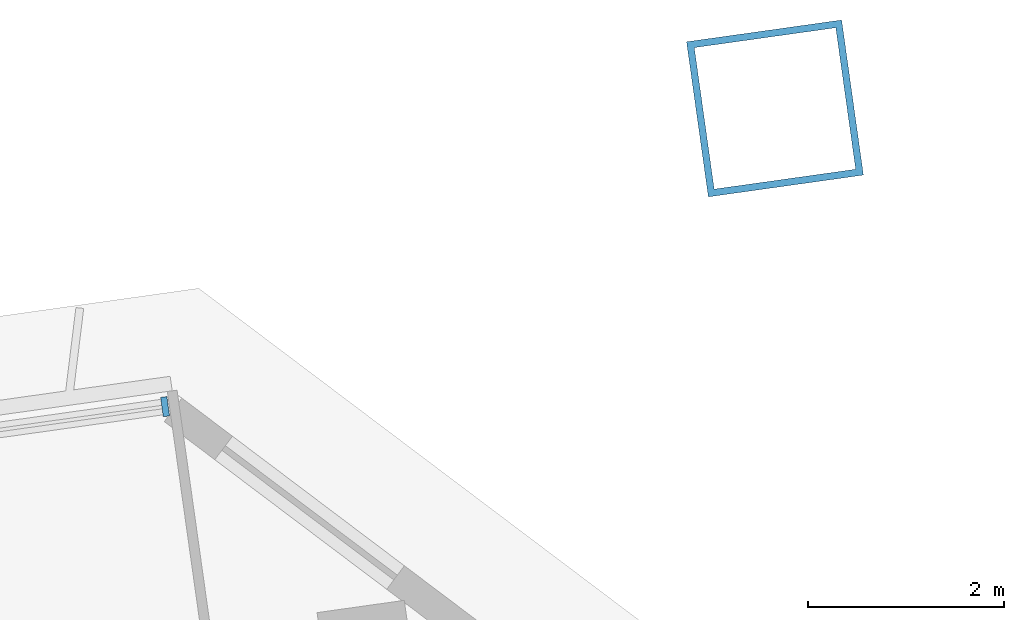
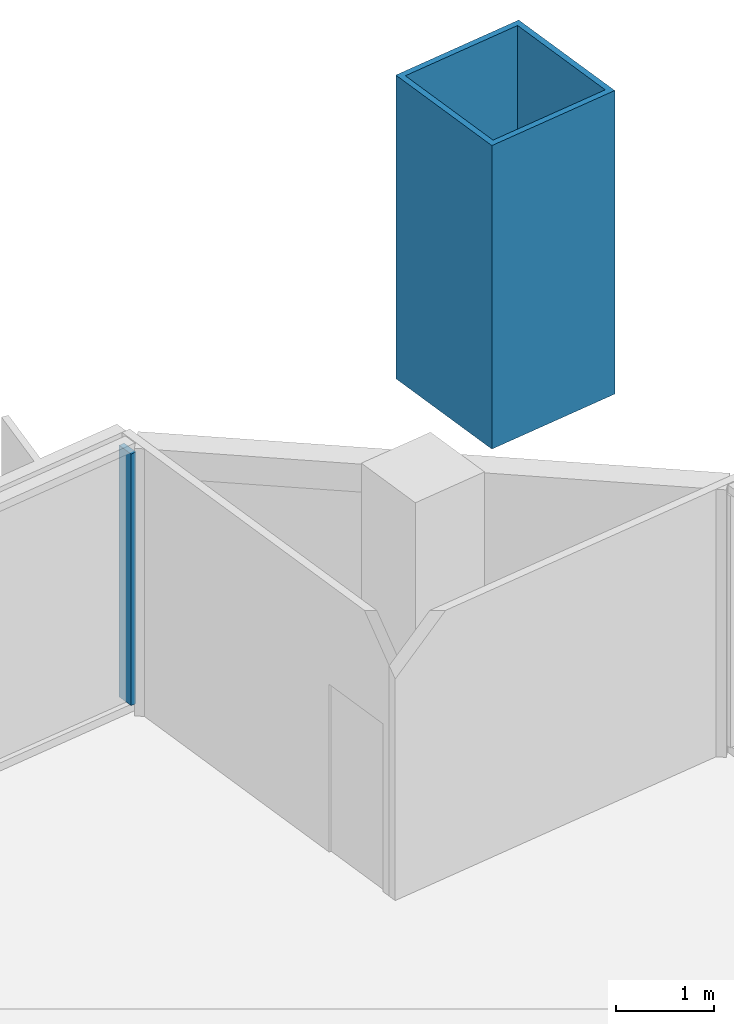
# One storey, part 12 of 26: 2 members, 1 element without a shape of its own.
"""IFC4 building model written with IfcOpenShell, lengths in metres."""

import ifcopenshell
import ifcopenshell.guid

model = None  # the IFC model being written
_history = None  # IfcOwnerHistory: only IFC2X3 demands one
_inside = {}  # id of a spatial element -> (the spatial element, [elements in it])
_under = {}  # id of a project, library or spatial element -> (it, [spatial elements below it])
_declared = {}  # id of a project -> (the project, [libraries it declares])
_typed = {}  # id of a type object -> (the type object, [elements of that type])
_made_of = {}  # id of a material, layer set ... -> (it, [elements and type objects made of it])


def new_model(schema):
    """Start an empty IFC model of exactly this schema.

    Asked for "IFC4X3", IfcOpenShell would pick the latest addendum, in which some entities
    have other attributes; the version numbers below select the first issue.
    IFC2X3 requires an IfcOwnerHistory on every rooted entity: one is made here for all.
    """
    global model, _history
    if schema == "IFC4X3":
        model = ifcopenshell.file(schema_version=(4, 3, 0, 0))
    else:
        model = ifcopenshell.file(schema=schema)
    _inside.clear()
    _under.clear()
    _declared.clear()
    _typed.clear()
    _made_of.clear()
    _history = None
    if model.schema == "IFC2X3":
        org = make("IfcOrganization", Name="unknown")
        user = make(
            "IfcPersonAndOrganization",
            ThePerson=make("IfcPerson", FamilyName="unknown"),
            TheOrganization=org,
        )
        app = make(
            "IfcApplication",
            ApplicationDeveloper=org,
            Version="unknown",
            ApplicationFullName="unknown",
            ApplicationIdentifier="unknown",
        )
        _history = make(
            "IfcOwnerHistory",
            OwningUser=user,
            OwningApplication=app,
            ChangeAction="ADDED",
            CreationDate=0,
        )
    return model


def make(cls, **values):
    """One entity of the class cls with the attributes given. An attribute that is None is left unset."""
    return model.create_entity(
        cls, **{name: value for name, value in values.items() if value is not None}
    )


def rooted(cls, **values):
    """An entity with a GlobalId (a new one), such as an element, a storey or a relation."""
    return make(cls, GlobalId=ifcopenshell.guid.new(), OwnerHistory=_history, **values)


def si_unit(unit_type, name, prefix=None):
    """IfcSIUnit, for example si_unit("LENGTHUNIT", "METRE", prefix="MILLI")."""
    return make("IfcSIUnit", UnitType=unit_type, Prefix=prefix, Name=name)


def assignment(units):
    """IfcUnitAssignment: the units of a project."""
    return None if units is None else make("IfcUnitAssignment", Units=units)


def point(xyz):
    """IfcCartesianPoint."""
    return None if xyz is None else make("IfcCartesianPoint", Coordinates=xyz)


def direction(xyz):
    """IfcDirection."""
    return None if xyz is None else make("IfcDirection", DirectionRatios=xyz)


def frame(location, z_axis=None, x_axis=None):
    """IfcAxis2Placement3D, a coordinate frame: its origin and axes. An axis left out is left unset."""
    return make(
        "IfcAxis2Placement3D",
        Location=point(location),
        Axis=direction(z_axis),
        RefDirection=direction(x_axis),
    )


def frame_2d(location, x_axis=None):
    """IfcAxis2Placement2D, a coordinate frame in the plane: its origin and x axis."""
    return make(
        "IfcAxis2Placement2D", Location=point(location), RefDirection=direction(x_axis)
    )


def origin():
    """The frame at (0, 0, 0) with its axes left unset."""
    return frame((0.0, 0.0, 0.0))


def origin_2d():
    """The frame at (0, 0) in the plane with its x axis left unset."""
    return frame_2d((0.0, 0.0))


def place(relative_to, where):
    """IfcLocalPlacement: puts the frame where relative to a parent placement (None: the world)."""
    return make(
        "IfcLocalPlacement", PlacementRelTo=relative_to, RelativePlacement=where
    )


def context(
    kind, dimensions, precision=None, world=None, true_north=None, identifier=None
):
    """IfcGeometricRepresentationContext, for example the 3D "Model" context."""
    return make(
        "IfcGeometricRepresentationContext",
        ContextIdentifier=identifier,
        ContextType=kind,
        CoordinateSpaceDimension=dimensions,
        Precision=precision,
        WorldCoordinateSystem=world,
        TrueNorth=true_north,
    )


def subcontext(parent, identifier, kind, view, scale=None):
    """IfcGeometricRepresentationSubContext, for example "Body" below "Model"."""
    return make(
        "IfcGeometricRepresentationSubContext",
        ContextIdentifier=identifier,
        ContextType=kind,
        ParentContext=parent,
        TargetScale=scale,
        TargetView=view,
    )


def project(units=None, contexts=None):
    """IfcProject with its units and contexts."""
    return rooted(
        "IfcProject",
        Name="project",
        RepresentationContexts=contexts,
        UnitsInContext=assignment(units),
    )


def spatial(cls, under=None, at=None, **own):
    """A site, building, storey or space (cls), placed at a placement, below another one or the project."""
    s = rooted(cls, ObjectPlacement=at, **own)
    if under is not None:
        _under.setdefault(under.id(), (under, []))[1].append(s)
    return s


def profile(cls, at=None, kind="AREA", **sizes):
    """A parametric profile (cls). Its sizes go by their IFC names, for example OverallWidth=200.0."""
    return make(cls, ProfileType=kind, Position=at, **sizes)


def rectangle(**sizes):
    """IfcRectangleProfileDef."""
    return profile("IfcRectangleProfileDef", **sizes)


def hollow_rectangle(**sizes):
    """IfcRectangleHollowProfileDef."""
    return profile("IfcRectangleHollowProfileDef", **sizes)


def extrude(swept, where, along, depth):
    """IfcExtrudedAreaSolid: the profile swept, set in the frame where, extruded along a direction by depth."""
    return make(
        "IfcExtrudedAreaSolid",
        SweptArea=swept,
        Position=where,
        ExtrudedDirection=direction(along),
        Depth=depth,
    )


def shape(context_of_items, identifier, shape_type, items):
    """IfcShapeRepresentation: the items that make up one representation, for example the "Body"."""
    return make(
        "IfcShapeRepresentation",
        ContextOfItems=context_of_items,
        RepresentationIdentifier=identifier,
        RepresentationType=shape_type,
        Items=items,
    )


def material(Name=None, Category=None):
    """IfcMaterial."""
    return make("IfcMaterial", Name=Name, Category=Category)


def material_profile(
    of_material, cross_section, Name=None, Category=None, Priority=None
):
    """IfcMaterialProfile: a cross section and its material."""
    return make(
        "IfcMaterialProfile",
        Name=Name,
        Material=of_material,
        Profile=cross_section,
        Priority=Priority,
        Category=Category,
    )


def profile_set(profiles, Name=None, composite=None):
    """IfcMaterialProfileSet."""
    return make(
        "IfcMaterialProfileSet",
        Name=Name,
        MaterialProfiles=profiles,
        CompositeProfile=composite,
    )


def made_of(thing, what):
    """Note that an element or type object is made of a material, layer set ...; save() writes the relation."""
    if what is not None:
        _made_of.setdefault(what.id(), (what, []))[1].append(thing)
    return thing


def type_object(cls, material=None, **own):
    """A type object (cls), such as IfcWallType, which elements share."""
    return made_of(rooted(cls, **own), material)


def element(
    cls,
    number,
    at=None,
    inside=None,
    cuts=None,
    type_object=None,
    material=None,
    context=None,
    identifier="Body",
    shape_type=None,
    held_by="IfcProductDefinitionShape",
    body=None,
    shapes=None,
    **own,
):
    """One element of the class cls, such as IfcWall. Its Tag is "e" and its number.

    at: its placement. inside: the storey or other place that contains it. cuts: it is an
    opening in that element (IfcRelVoidsElement). A single representation is given by context,
    identifier, shape_type and body (its items); several are given by shapes. held_by: the class
    of the entity that holds the representations. save() writes the other relations.
    """
    e = rooted(cls, Tag="e%d" % number, ObjectPlacement=at, **own)
    if body is not None:
        shapes = [shape(context, identifier, shape_type, body)]
    if shapes is not None:
        e.Representation = make(held_by, Representations=shapes)
    if inside is not None:
        _inside.setdefault(inside.id(), (inside, []))[1].append(e)
    if cuts is not None:
        rooted(
            "IfcRelVoidsElement", RelatingBuildingElement=cuts, RelatedOpeningElement=e
        )
    if type_object is not None:
        _typed.setdefault(type_object.id(), (type_object, []))[1].append(e)
    return made_of(e, material)


def aggregate(whole, parts):
    """IfcRelAggregates: a whole, such as a stair, and the parts it consists of."""
    return rooted("IfcRelAggregates", RelatingObject=whole, RelatedObjects=parts)


def save(model, path):
    """Write the relations noted so far, then the file.

    IfcRelAggregates (storeys below a building ...), IfcRelContainedInSpatialStructure (elements
    in a storey), IfcRelDefinesByType, IfcRelAssociatesMaterial and IfcRelDeclares: one each for
    every whole, place, type object, material and project.
    """
    for whole, parts in _under.values():
        aggregate(whole, parts)
    for where, things in _inside.values():
        rooted(
            "IfcRelContainedInSpatialStructure",
            RelatedElements=things,
            RelatingStructure=where,
        )
    for kind, things in _typed.values():
        rooted("IfcRelDefinesByType", RelatedObjects=things, RelatingType=kind)
    for what, things in _made_of.values():
        rooted("IfcRelAssociatesMaterial", RelatedObjects=things, RelatingMaterial=what)
    for by, libraries in _declared.values():
        rooted("IfcRelDeclares", RelatingContext=by, RelatedDefinitions=libraries)
    model.write(path)


model = new_model("IFC4")

# Units and contexts
model_context = context("Model", 3, precision=1e-05, world=origin(), true_north=direction((0.0, 1.0)))
body_context = subcontext(model_context, "Body", "Model", "MODEL_VIEW")
ifc_project = project(units=[si_unit("LENGTHUNIT", "METRE"), si_unit("AREAUNIT", "SQUARE_METRE"), si_unit("VOLUMEUNIT", "CUBIC_METRE"), si_unit("PLANEANGLEUNIT", "RADIAN"), si_unit("MASSUNIT", "GRAM", prefix="KILO")], contexts=[model_context])

# Site, building, storey
site_placement = place(None, origin())
site = spatial("IfcSite", under=ifc_project, at=site_placement, CompositionType="ELEMENT")
building_placement = place(site_placement, origin())
building = spatial("IfcBuilding", under=site, at=building_placement, Name="Mirante Cascada Hotel Towers", CompositionType="ELEMENT")
storey_placement = place(building_placement, frame((0.0, 0.0, 144.3)))
storey = spatial("IfcBuildingStorey", under=building, at=storey_placement, Name="L33", CompositionType="ELEMENT", Elevation=144.3)

# Member
ifc_material_1 = material(Name="Steel ASTM A572 Gr 50", Category="steel")
ifc_material_profile_1 = material_profile(ifc_material_1, hollow_rectangle(XDim=1.6, YDim=1.6, WallThickness=0.07, at=origin_2d()), Name="Box post 1600x1600x70 ASTM A572 Gr 50")
ifc_profile_set_1 = profile_set([ifc_material_profile_1], Name="Steel ASTM A572 Gr 50")
member_type_1 = type_object("IfcMemberType", Name="Box post 1600x1600x70 ASTM A572 Gr 50", PredefinedType="POST", material=ifc_profile_set_1)
member_1_placement = place(storey_placement, frame((100.3572, 29.0944, 0.0), z_axis=(0.0, 0.0, 1.0), x_axis=(0.9902681, 0.1391731, 0.0)))
element("IfcMember", 1, at=member_1_placement, inside=storey, type_object=member_type_1, Name="Mega column MP3 T2 L33", PredefinedType="POST", context=body_context, shape_type="SweptSolid", body=[
    extrude(hollow_rectangle(XDim=1.6, YDim=1.6, WallThickness=0.07, at=origin_2d()), origin(), (0.0, 0.0, 1.0), 3.8),
])

# Curtain wall, member
ifc_material_2 = material(Name="Aluminium mullion and transom frame with clear laminated glass", Category="aluminium")
curtain_wall_type = type_object("IfcCurtainWallType", Name="Ribbon curtain wall ECW1", PredefinedType="NOTDEFINED", material=ifc_material_2)
curtain_wall_placement = place(storey_placement, origin())
curtain_wall = element("IfcCurtainWall", 2, at=curtain_wall_placement, inside=storey, type_object=curtain_wall_type, Name="Front ribbon wall T2 L33", PredefinedType="NOTDEFINED")
ifc_material_3 = material(Name="Anodised aluminium extrusion", Category="aluminium")
ifc_material_profile_2 = material_profile(ifc_material_3, rectangle(XDim=0.2, YDim=0.065, at=origin_2d()), Name="ECW1 MULLION 65x200")
ifc_profile_set_2 = profile_set([ifc_material_profile_2], Name="Anodised aluminium extrusion")
member_type_2 = type_object("IfcMemberType", Name="ECW1 mullion 65x200", PredefinedType="MULLION", material=ifc_profile_set_2)
member_2_placement = place(storey_placement, frame((94.126, 26.0476, 0.1), z_axis=(0.0, 0.0, 1.0), x_axis=(0.1391731, -0.9902681, 0.0)))
member_2 = element("IfcMember", 3, at=member_2_placement, type_object=member_type_2, Name="ECW1 mullion 1", PredefinedType="MULLION", context=body_context, shape_type="SweptSolid", body=[
    extrude(rectangle(XDim=0.2, YDim=0.065, at=origin_2d()), origin(), (0.0, 0.0, 1.0), 3.15),
])
aggregate(curtain_wall, [member_2])

save(model, "model.ifc")
